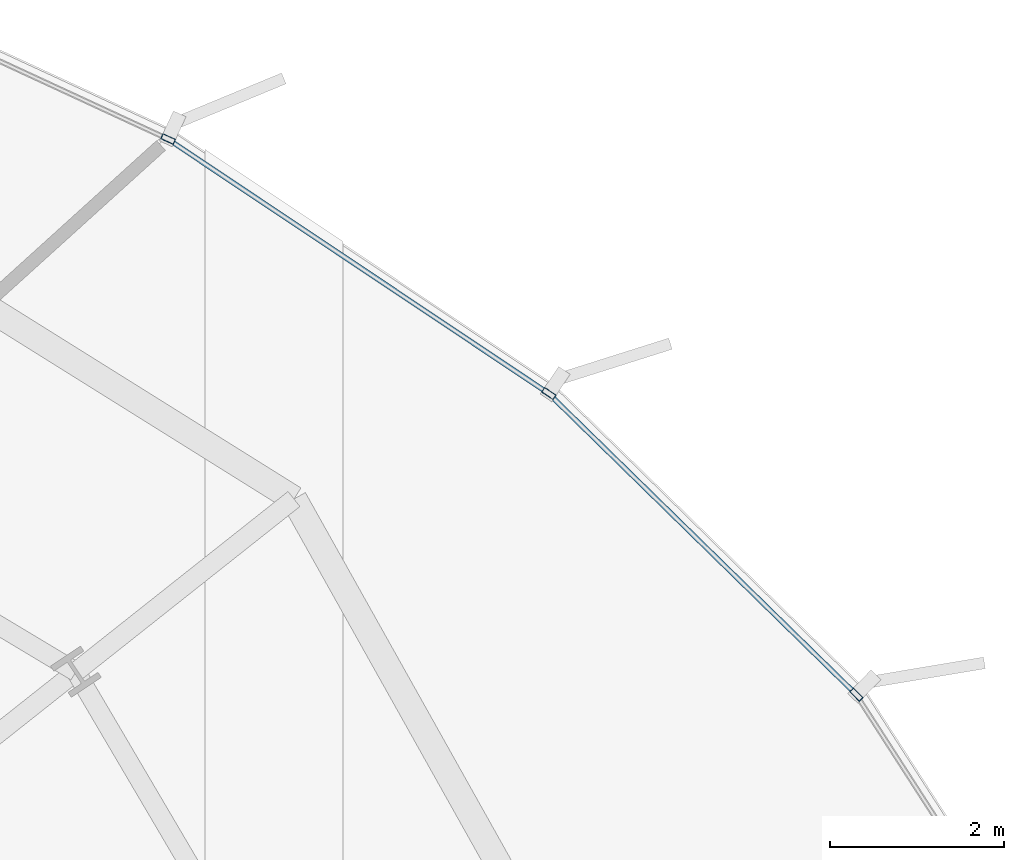
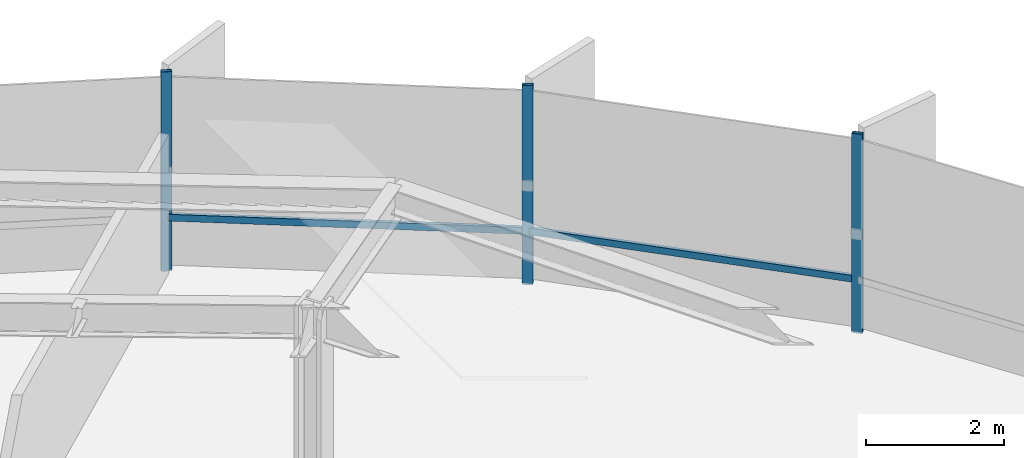
# One storey, part 24 of 35: 5 members, 1 element without a shape of its own.
"""IFC4 building model written with IfcOpenShell, lengths in metres."""

from ifc_helpers import new_model, si_unit, direction, frame, origin, origin_2d, place, context, subcontext, project, spatial, hollow_rectangle, extrude, source, transform, mapped, material, layer, layer_set, material_profile, profile_set, type_object, element, aggregate, save


model = new_model("IFC4")

# Units and contexts
model_context = context("Model", 3, precision=1e-05, world=origin(), true_north=direction((0.0, 1.0)))
body_context = subcontext(model_context, "Body", "Model", "MODEL_VIEW")
ifc_project = project(units=[si_unit("LENGTHUNIT", "METRE"), si_unit("AREAUNIT", "SQUARE_METRE"), si_unit("VOLUMEUNIT", "CUBIC_METRE"), si_unit("PLANEANGLEUNIT", "RADIAN"), si_unit("MASSUNIT", "GRAM", prefix="KILO"), si_unit("THERMODYNAMICTEMPERATUREUNIT", "KELVIN")], contexts=[model_context])

# Site, building, storey
site_placement = place(None, origin())
site = spatial("IfcSite", under=ifc_project, at=site_placement, CompositionType="ELEMENT")
building_placement = place(site_placement, origin())
building = spatial("IfcBuilding", under=site, at=building_placement, Name="Kethvar Cultural Tower", CompositionType="ELEMENT")
storey_placement = place(building_placement, frame((0.0, 0.0, 71.39990234375)))
storey = spatial("IfcBuildingStorey", under=building, at=storey_placement, Name="L17", CompositionType="ELEMENT", Elevation=71.39990234375)

# Curtain wall, members
ifc_material = material(Name="Aluminium 6063-T6", Category="aluminium")
ifc_layer = layer(ifc_material, 0.179931640625, Name="Aluminium 6063-T6", Category="aluminium")
ifc_layer_set = layer_set([ifc_layer], Name="Aluminium 6063-T6 (180 mm)")
curtain_wall_type = type_object("IfcCurtainWallType", Name="CW-SYS-02-Z1", PredefinedType="NOTDEFINED", material=ifc_layer_set)
curtain_wall_placement = place(storey_placement, origin())
curtain_wall = element("IfcCurtainWall", 1, at=curtain_wall_placement, inside=storey, type_object=curtain_wall_type, Name="L17 Curtain Wall Run 01", PredefinedType="NOTDEFINED")
ifc_material_profile_1 = material_profile(ifc_material, hollow_rectangle(XDim=0.054931640625, YDim=0.1201171875, WallThickness=0.00390625, at=origin_2d()), Name="Aluminium 6063-T6 — RHS120x55x4")
ifc_profile_set_1 = profile_set([ifc_material_profile_1], Name="Aluminium 6063-T6 — RHS120x55x4")
member_type_1 = type_object("IfcMemberType", Name="CW-SYS-02-Z1-TRN", PredefinedType="USERDEFINED", material=ifc_profile_set_1)
shared_shape_1 = source(origin(), body_context, "Body", "SweptSolid", [
    extrude(hollow_rectangle(XDim=0.054931640625, YDim=0.1201171875, WallThickness=0.00390625, at=origin_2d()), origin(), (0.0, 0.0, 1.0), 5.193603515625),
])
member_1_placement = place(storey_placement, frame((73.738037109375, 45.416015625, 0.9501953125), z_axis=(-0.831579910812, 0.555405124152, 0.0), x_axis=(-0.555405124152, -0.831579910812, 0.0)))
member_1 = element("IfcMember", 2, at=member_1_placement, type_object=member_type_1, Name="CW-L17-R01 Transom 4", ObjectType="TRANSOM", PredefinedType="USERDEFINED", context=body_context, shape_type="MappedRepresentation", body=[
    mapped(shared_shape_1, transform((0.0, 0.0, 0.0), scale=1.0)),
])
ifc_material_profile_2 = material_profile(ifc_material, hollow_rectangle(XDim=0.06494140625, YDim=0.159912109375, WallThickness=0.0048828125, at=origin_2d()), Name="Aluminium 6063-T6 — RHS160x65x5")
ifc_profile_set_2 = profile_set([ifc_material_profile_2], Name="Aluminium 6063-T6 — RHS160x65x5")
member_type_2 = type_object("IfcMemberType", Name="CW-SYS-02-Z1-MUL", PredefinedType="MULLION", material=ifc_profile_set_2)
shared_shape_2 = source(origin(), body_context, "Body", "SweptSolid", [
    extrude(hollow_rectangle(XDim=0.06494140625, YDim=0.159912109375, WallThickness=0.0048828125, at=origin_2d()), origin(), (0.0, 0.0, 1.0), 3.5400390625),
])
member_2_placement = place(storey_placement, frame((77.315185546875, 41.926513671875, 0.0), z_axis=(0.0, 0.0, 1.0), x_axis=(-0.699201808333, -0.714924353497, 0.0)))
member_2 = element("IfcMember", 3, at=member_2_placement, type_object=member_type_2, Name="CW-L17-R01 Mullion 3", PredefinedType="MULLION", context=body_context, shape_type="MappedRepresentation", body=[
    mapped(shared_shape_2, transform((0.0, 0.0, 0.0), scale=1.0)),
])
member_3_placement = place(storey_placement, frame((73.77685546875, 45.389892578125, 0.0), z_axis=(0.0, 0.0, 1.0), x_axis=(-0.555425105735, -0.831566564936, 0.0)))
member_3 = element("IfcMember", 4, at=member_3_placement, type_object=member_type_2, Name="CW-L17-R01 Mullion 4", PredefinedType="MULLION", context=body_context, shape_type="MappedRepresentation", body=[
    mapped(shared_shape_2, transform((0.0, 0.0, 0.0), scale=1.0)),
])
member_4_placement = place(storey_placement, frame((69.396484375, 48.3173828125, 0.0), z_axis=(0.0, 0.0, 1.0), x_axis=(-0.419879815916, -0.90757971561, 0.0)))
member_4 = element("IfcMember", 5, at=member_4_placement, type_object=member_type_2, Name="CW-L17-R01 Mullion 5", PredefinedType="MULLION", context=body_context, shape_type="MappedRepresentation", body=[
    mapped(shared_shape_2, transform((0.0, 0.0, 0.0), scale=1.0)),
])
shared_shape_3 = source(origin(), body_context, "Body", "SweptSolid", [
    extrude(hollow_rectangle(XDim=0.054931640625, YDim=0.1201171875, WallThickness=0.00390625, at=origin_2d()), origin(), (0.0, 0.0, 1.0), 4.879638671875),
])
member_5_placement = place(storey_placement, frame((77.28173828125, 41.959228515625, 0.9501953125), z_axis=(-0.714918294384, 0.69920800364, 0.0), x_axis=(-0.69920800364, -0.714918294384, 0.0)))
member_5 = element("IfcMember", 6, at=member_5_placement, type_object=member_type_1, Name="CW-L17-R01 Transom 3", ObjectType="TRANSOM", PredefinedType="USERDEFINED", context=body_context, shape_type="MappedRepresentation", body=[
    mapped(shared_shape_3, transform((0.0, 0.0, 0.0), scale=1.0)),
])
aggregate(curtain_wall, [member_2, member_3, member_4, member_5, member_1])

save(model, "model.ifc")
